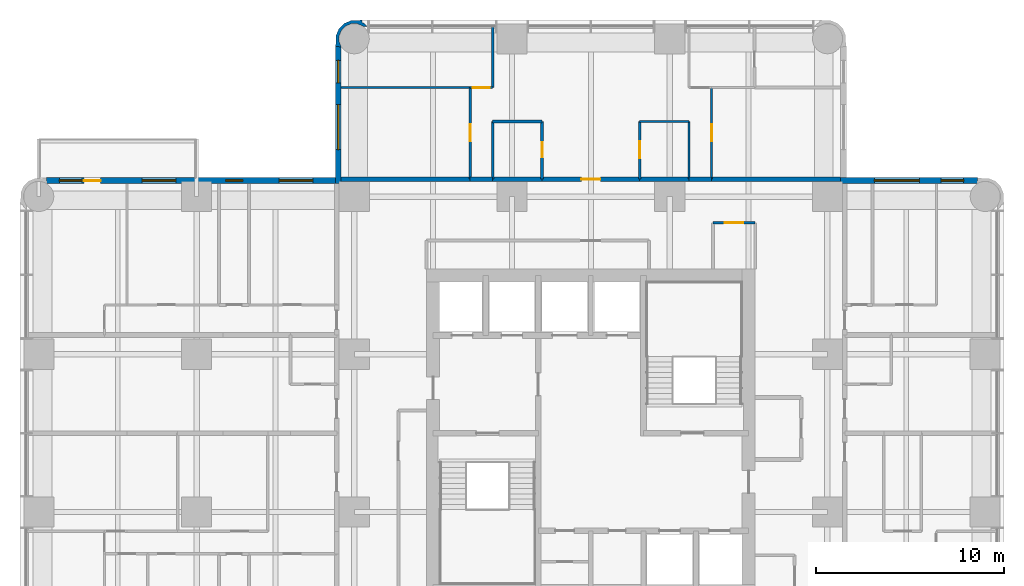
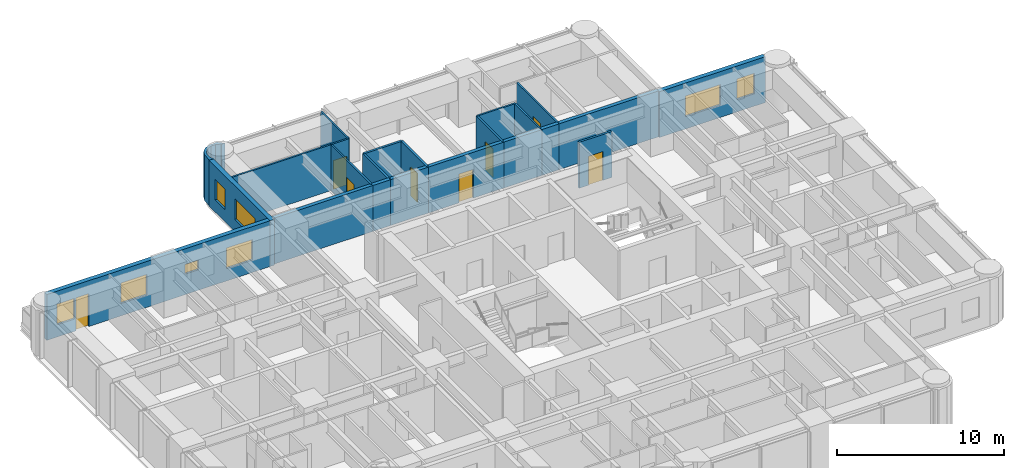
# One storey, part 9 of 11: 23 walls, 8 doors, 8 windows, 16 openings.
"""IFC4 building model written with IfcOpenShell, lengths in metres."""

from ifc_helpers import new_model, si_unit, direction, frame, frame_2d, origin, place, context, subcontext, project, spatial, polyline, rectangle, outline, extrude, material, layer, layer_set, type_object, element, fill, save


model = new_model("IFC4")

# Units and contexts
model_context = context("Model", 3, precision=1e-05, world=origin(), true_north=direction((0.0, 1.0)))
body_context = subcontext(model_context, "Body", "Model", "MODEL_VIEW")
ifc_project = project(units=[si_unit("LENGTHUNIT", "METRE"), si_unit("AREAUNIT", "SQUARE_METRE"), si_unit("VOLUMEUNIT", "CUBIC_METRE"), si_unit("PLANEANGLEUNIT", "RADIAN"), si_unit("MASSUNIT", "GRAM", prefix="KILO")], contexts=[model_context])

# Site, building, storey
site_placement = place(None, origin())
site = spatial("IfcSite", under=ifc_project, at=site_placement, CompositionType="ELEMENT")
building_placement = place(site_placement, origin())
building = spatial("IfcBuilding", under=site, at=building_placement, Name="Torre Alcanfor", CompositionType="ELEMENT")
storey_placement = place(building_placement, frame((0.0, 0.0, 244.5)))
storey = spatial("IfcBuildingStorey", under=building, at=storey_placement, Name="L64", CompositionType="ELEMENT", Elevation=244.5)

# Wall, opening, door
ifc_material_1 = material(Name="Concrete block masonry, hollow blocks NMX-C-404 9 MPa", Category="masonry")
ifc_layer_1 = layer(ifc_material_1, 0.25)
ifc_layer_set_1 = layer_set([ifc_layer_1], Name="Apartment entrance wall 250 EI 60")
wall_type_1 = type_object("IfcWallType", Name="Apartment entrance wall 250 EI 60", PredefinedType="PARTITIONING", material=ifc_layer_set_1)
wall_1_placement = place(storey_placement, frame((26.800048828125, 42.925048828125, 0.0), z_axis=(0.0, 0.0, 1.0), x_axis=(1.0, 0.0, 0.0)))
wall_1 = element("IfcWall", 1, at=wall_1_placement, inside=storey, type_object=wall_type_1, Name="Partition L64-CORR / L64-NX-ZAG", PredefinedType="PARTITIONING", context=body_context, shape_type="SweptSolid", body=[
    extrude(rectangle(XDim=5.199951171875, YDim=0.25, at=frame_2d((2.60009765625, 0.0))), origin(), (0.0, 0.0, 1.0), 3.35009765625),
])
opening_1_placement = place(wall_1_placement, frame((2.10009765625, 0.0, 0.0)))
opening_1 = element("IfcOpeningElement", 2, at=opening_1_placement, cuts=wall_1, Name="Opening D-A1", PredefinedType="OPENING", context=body_context, shape_type="SweptSolid", body=[
    extrude(rectangle(XDim=1.0, YDim=2.10009765625, at=frame_2d((0.5, 1.050048828125))), frame((0.0, 0.135009765625, 0.0), z_axis=(0.0, -1.0, 0.0), x_axis=(1.0, 0.0, 0.0)), (0.0, 0.0, 1.0), 0.27001953125),
])
ifc_material_2 = material(Name="Galvanised steel sheet ASTM A653", Category="steel")
door_type_1 = type_object("IfcDoorType", Name="Apartment entrance door FD60 1000x2100", OperationType="SINGLE_SWING_LEFT", PredefinedType="DOOR", material=ifc_material_2)
door_1_placement = place(opening_1_placement, origin())
door_1 = element("IfcDoor", 3, at=door_1_placement, inside=storey, type_object=door_type_1, Name="Apartment entrance L64-NX", OperationType="SINGLE_SWING_LEFT", OverallHeight=2.10009765625, OverallWidth=1.0, PredefinedType="DOOR", context=body_context, shape_type="SweptSolid", body=[
    extrude(rectangle(XDim=1.0, YDim=2.10009765625, at=frame_2d((0.5, 1.050048828125))), frame((0.0, 0.02490234375, 0.0), z_axis=(0.0, -1.0, 0.0), x_axis=(1.0, 0.0, 0.0)), (0.0, 0.0, 1.0), 0.050048828125),
])
fill(opening_1, door_1)

# Walls
wall_2_placement = place(storey_placement, frame((24.1708984375, 42.925048828125, 0.0), z_axis=(0.0, 0.0, 1.0), x_axis=(1.0, 0.0, 0.0)))
element("IfcWall", 4, at=wall_2_placement, inside=storey, type_object=wall_type_1, Name="Partition L64-CORR / L64-NX-BATH2", PredefinedType="PARTITIONING", context=body_context, shape_type="SweptSolid", body=[
    extrude(rectangle(XDim=2.629150390625, YDim=0.25, at=frame_2d((1.314453125, 0.0))), origin(), (0.0, 0.0, 1.0), 3.35009765625),
])
wall_3_placement = place(storey_placement, frame((32.0, 42.925048828125, 0.0), z_axis=(0.0, 0.0, 1.0), x_axis=(1.0, 0.0, 0.0)))
element("IfcWall", 5, at=wall_3_placement, inside=storey, type_object=wall_type_1, Name="Partition L64-CORR / L64-NX-KITCHEN", PredefinedType="PARTITIONING", context=body_context, shape_type="SweptSolid", body=[
    extrude(rectangle(XDim=2.62890625, YDim=0.25, at=frame_2d((1.314453125, 0.0))), origin(), (0.0, 0.0, 1.0), 3.35009765625),
])
wall_4_placement = place(storey_placement, frame((22.970947265625, 42.925048828125, 0.0), z_axis=(0.0, 0.0, 1.0), x_axis=(1.0, 0.0, 0.0)))
element("IfcWall", 6, at=wall_4_placement, inside=storey, type_object=wall_type_1, Name="Partition L64-CORR / L64-NX-LIVING", PredefinedType="PARTITIONING", context=body_context, shape_type="SweptSolid", body=[
    extrude(rectangle(XDim=1.199951171875, YDim=0.25, at=frame_2d((0.60009765625, 0.0))), origin(), (0.0, 0.0, 1.0), 3.35009765625),
])
wall_5_placement = place(storey_placement, frame((34.62890625, 42.925048828125, 0.0), z_axis=(0.0, 0.0, 1.0), x_axis=(1.0, 0.0, 0.0)))
element("IfcWall", 7, at=wall_5_placement, inside=storey, type_object=wall_type_1, Name="Partition L64-CORR / L64-NX-LIVING", PredefinedType="PARTITIONING", context=body_context, shape_type="SweptSolid", body=[
    extrude(rectangle(XDim=1.2001953125, YDim=0.25, at=frame_2d((0.60009765625, 0.0))), origin(), (0.0, 0.0, 1.0), 3.35009765625),
])
for number, where, z_axis, x_axis, name in (
    (8, (16.10009765625, 42.925048828125, 0.0), (0.0, 0.0, 1.0), (1.0, 0.0, 0.0), "Partition L64-CORR / L64-NX-BED2"),
    (9, (35.8291015625, 42.925048828125, 0.0), (0.0, 0.0, 1.0), (1.0, 0.0, 0.0), "Partition L64-CORR / L64-NX-BED3"),
):
    element("IfcWall", number, at=place(storey_placement, frame(where, z_axis=z_axis, x_axis=x_axis)), inside=storey, type_object=wall_type_1, Name=name, PredefinedType="PARTITIONING", context=body_context, shape_type="SweptSolid", body=[
        extrude(rectangle(XDim=6.870849609375, YDim=0.25, at=frame_2d((3.435546875, 0.0))), origin(), (0.0, 0.0, 1.0), 3.35009765625),
    ])

# Wall, opening, door
ifc_material_3 = material(Name="Gypsum board on steel studs", Category="steel")
ifc_layer_2 = layer(ifc_material_3, 0.1201171875)
ifc_layer_set_2 = layer_set([ifc_layer_2], Name="Apartment partition 120")
wall_type_2 = type_object("IfcWallType", Name="Apartment partition 120", PredefinedType="PARTITIONING", material=ifc_layer_set_2)
wall_6_placement = place(storey_placement, frame((32.0, 42.925048828125, 0.0), z_axis=(0.0, 0.0, 1.0), x_axis=(0.0, 1.0, 0.0)))
wall_6 = element("IfcWall", 10, at=wall_6_placement, inside=storey, type_object=wall_type_2, Name="Partition L64-NX-ZAG / L64-NX-KITCHEN", PredefinedType="PARTITIONING", context=body_context, shape_type="SweptSolid", body=[
    extrude(rectangle(XDim=3.074951171875, YDim=0.1201171875, at=frame_2d((1.53759765625, 0.0))), origin(), (0.0, 0.0, 1.0), 3.35009765625),
])
opening_2_placement = place(wall_6_placement, frame((1.125, 0.0, 0.0)))
opening_2 = element("IfcOpeningElement", 11, at=opening_2_placement, cuts=wall_6, Name="Opening D-R1", PredefinedType="OPENING", context=body_context, shape_type="SweptSolid", body=[
    extrude(rectangle(XDim=0.89990234375, YDim=2.10009765625, at=frame_2d((0.449951171875, 1.050048828125))), frame((0.0, 0.070068359375, 0.0), z_axis=(0.0, -1.0, 0.0), x_axis=(1.0, 0.0, 0.0)), (0.0, 0.0, 1.0), 0.14013671875),
])
ifc_material_4 = material(Name="Timber", Category="wood")
door_type_2 = type_object("IfcDoorType", Name="Internal door 900x2100", OperationType="SINGLE_SWING_LEFT", PredefinedType="DOOR", material=ifc_material_4)
door_2_placement = place(opening_2_placement, frame((0.89990234375, 0.0, 0.0), z_axis=(0.0, 0.0, 1.0), x_axis=(-1.0, 0.0, 0.0)))
door_2 = element("IfcDoor", 12, at=door_2_placement, inside=storey, type_object=door_type_2, Name="Door L64-NX kitchen", OperationType="SINGLE_SWING_LEFT", OverallHeight=2.10009765625, OverallWidth=0.89990234375, PredefinedType="DOOR", context=body_context, shape_type="SweptSolid", body=[
    extrude(rectangle(XDim=0.89990234375, YDim=2.10009765625, at=frame_2d((0.449951171875, 1.050048828125))), frame((0.0, 0.025146484375, 0.0), z_axis=(0.0, -1.0, 0.0), x_axis=(1.0, 0.0, 0.0)), (0.0, 0.0, 1.0), 0.050048828125),
])
fill(opening_2, door_2)

# Walls
wall_7_placement = place(storey_placement, frame((34.62890625, 42.925048828125, 0.0), z_axis=(0.0, 0.0, 1.0), x_axis=(0.0, 1.0, 0.0)))
element("IfcWall", 13, at=wall_7_placement, inside=storey, type_object=wall_type_2, Name="Partition L64-NX-KITCHEN / L64-NX-LIVING", PredefinedType="PARTITIONING", context=body_context, shape_type="SweptSolid", body=[
    extrude(rectangle(XDim=3.074951171875, YDim=0.1201171875, at=frame_2d((1.53759765625, 0.0))), origin(), (0.0, 0.0, 1.0), 3.35009765625),
])
wall_8_placement = place(storey_placement, frame((34.62890625, 46.0, 0.0), z_axis=(0.0, 0.0, 1.0), x_axis=(-1.0, 0.0, 0.0)))
element("IfcWall", 14, at=wall_8_placement, inside=storey, type_object=wall_type_2, Name="Partition L64-NX-KITCHEN / L64-NX-LIVING", PredefinedType="PARTITIONING", context=body_context, shape_type="SweptSolid", body=[
    extrude(rectangle(XDim=2.62890625, YDim=0.1201171875, at=frame_2d((1.314453125, 0.0))), origin(), (0.0, 0.0, 1.0), 3.35009765625),
])

# Wall, opening, door
wall_9_placement = place(storey_placement, frame((22.970947265625, 42.925048828125, 0.0), z_axis=(0.0, 0.0, 1.0), x_axis=(0.0, 1.0, 0.0)))
wall_9 = element("IfcWall", 15, at=wall_9_placement, inside=storey, type_object=wall_type_2, Name="Partition L64-NX-LIVING / L64-NX-BED2", PredefinedType="PARTITIONING", context=body_context, shape_type="SweptSolid", body=[
    extrude(rectangle(XDim=4.875, YDim=0.1201171875, at=frame_2d((2.4375, 0.0))), origin(), (0.0, 0.0, 1.0), 3.35009765625),
])
opening_3_placement = place(wall_9_placement, frame((2.02490234375, 0.0, 0.0)))
opening_3 = element("IfcOpeningElement", 16, at=opening_3_placement, cuts=wall_9, Name="Opening D-R1", PredefinedType="OPENING", context=body_context, shape_type="SweptSolid", body=[
    extrude(rectangle(XDim=0.89990234375, YDim=2.10009765625, at=frame_2d((0.449951171875, 1.050048828125))), frame((0.0, 0.070068359375, 0.0), z_axis=(0.0, -1.0, 0.0), x_axis=(1.0, 0.0, 0.0)), (0.0, 0.0, 1.0), 0.14013671875),
])
door_3_placement = place(opening_3_placement, origin())
door_3 = element("IfcDoor", 17, at=door_3_placement, inside=storey, type_object=door_type_2, Name="Door L64-NX bed2", OperationType="SINGLE_SWING_RIGHT", OverallHeight=2.10009765625, OverallWidth=0.89990234375, PredefinedType="DOOR", context=body_context, shape_type="SweptSolid", body=[
    extrude(rectangle(XDim=0.89990234375, YDim=2.10009765625, at=frame_2d((0.449951171875, 1.050048828125))), frame((0.0, 0.02490234375, 0.0), z_axis=(0.0, -1.0, 0.0), x_axis=(1.0, 0.0, 0.0)), (0.0, 0.0, 1.0), 0.050048828125),
])
fill(opening_3, door_3)

wall_10_placement = place(storey_placement, frame((22.970947265625, 47.800048828125, 0.0), z_axis=(0.0, 0.0, 1.0), x_axis=(1.0, 0.0, 0.0)))
wall_10 = element("IfcWall", 18, at=wall_10_placement, inside=storey, type_object=wall_type_2, Name="Partition L64-NX-LIVING / L64-NX-MASTER", PredefinedType="PARTITIONING", context=body_context, shape_type="SweptSolid", body=[
    extrude(rectangle(XDim=1.199951171875, YDim=0.1201171875, at=frame_2d((0.60009765625, 0.0))), origin(), (0.0, 0.0, 1.0), 3.35009765625),
])
opening_4_placement = place(wall_10_placement, frame((0.14892578125, 0.0, 0.0)))
opening_4 = element("IfcOpeningElement", 19, at=opening_4_placement, cuts=wall_10, Name="Opening D-R1", PredefinedType="OPENING", context=body_context, shape_type="SweptSolid", body=[
    extrude(rectangle(XDim=0.89990234375, YDim=2.10009765625, at=frame_2d((0.449951171875, 1.050048828125))), frame((0.0, 0.070068359375, 0.0), z_axis=(0.0, -1.0, 0.0), x_axis=(1.0, 0.0, 0.0)), (0.0, 0.0, 1.0), 0.14013671875),
])
door_4_placement = place(opening_4_placement, origin())
door_4 = element("IfcDoor", 20, at=door_4_placement, inside=storey, type_object=door_type_2, Name="Door L64-NX master", OperationType="SINGLE_SWING_RIGHT", OverallHeight=2.10009765625, OverallWidth=0.89990234375, PredefinedType="DOOR", context=body_context, shape_type="SweptSolid", body=[
    extrude(rectangle(XDim=0.89990234375, YDim=2.10009765625, at=frame_2d((0.449951171875, 1.050048828125))), frame((0.0, 0.02490234375, 0.0), z_axis=(0.0, -1.0, 0.0), x_axis=(1.0, 0.0, 0.0)), (0.0, 0.0, 1.0), 0.050048828125),
])
fill(opening_4, door_4)

# Wall
wall_11_placement = place(storey_placement, frame((24.1708984375, 47.800048828125, 0.0), z_axis=(0.0, 0.0, 1.0), x_axis=(0.0, 1.0, 0.0)))
element("IfcWall", 21, at=wall_11_placement, inside=storey, type_object=wall_type_2, Name="Partition L64-NX-LIVING / L64-NX-MASTER", PredefinedType="PARTITIONING", context=body_context, shape_type="SweptSolid", body=[
    extrude(rectangle(XDim=3.25, YDim=0.1201171875, at=frame_2d((1.625, 0.0))), origin(), (0.0, 0.0, 1.0), 3.35009765625),
])

# Wall, opening, door
wall_12_placement = place(storey_placement, frame((35.8291015625, 47.800048828125, 0.0), z_axis=(0.0, 0.0, 1.0), x_axis=(0.0, -1.0, 0.0)))
wall_12 = element("IfcWall", 22, at=wall_12_placement, inside=storey, type_object=wall_type_2, Name="Partition L64-NX-LIVING / L64-NX-BED3", PredefinedType="PARTITIONING", context=body_context, shape_type="SweptSolid", body=[
    extrude(rectangle(XDim=4.875, YDim=0.1201171875, at=frame_2d((2.4375, 0.0))), origin(), (0.0, 0.0, 1.0), 3.35009765625),
])
opening_5_placement = place(wall_12_placement, frame((1.949951171875, 0.0, 0.0)))
opening_5 = element("IfcOpeningElement", 23, at=opening_5_placement, cuts=wall_12, Name="Opening D-R1", PredefinedType="OPENING", context=body_context, shape_type="SweptSolid", body=[
    extrude(rectangle(XDim=0.89990234375, YDim=2.10009765625, at=frame_2d((0.449951171875, 1.050048828125))), frame((0.0, 0.070068359375, 0.0), z_axis=(0.0, -1.0, 0.0), x_axis=(1.0, 0.0, 0.0)), (0.0, 0.0, 1.0), 0.14013671875),
])
door_5_placement = place(opening_5_placement, origin())
door_5 = element("IfcDoor", 24, at=door_5_placement, inside=storey, type_object=door_type_2, Name="Door L64-NX bed3", OperationType="SINGLE_SWING_LEFT", OverallHeight=2.10009765625, OverallWidth=0.89990234375, PredefinedType="DOOR", context=body_context, shape_type="SweptSolid", body=[
    extrude(rectangle(XDim=0.89990234375, YDim=2.10009765625, at=frame_2d((0.449951171875, 1.050048828125))), frame((0.0, 0.02490234375, 0.0), z_axis=(0.0, -1.0, 0.0), x_axis=(1.0, 0.0, 0.0)), (0.0, 0.0, 1.0), 0.050048828125),
])
fill(opening_5, door_5)

# Wall
wall_13_placement = place(storey_placement, frame((22.970947265625, 47.800048828125, 0.0), z_axis=(0.0, 0.0, 1.0), x_axis=(-1.0, 0.0, 0.0)))
element("IfcWall", 25, at=wall_13_placement, inside=storey, type_object=wall_type_2, Name="Partition L64-NX-BED2 / L64-NX-MASTER", PredefinedType="PARTITIONING", context=body_context, shape_type="SweptSolid", body=[
    extrude(rectangle(XDim=6.870849609375, YDim=0.1201171875, at=frame_2d((3.435546875, 0.0))), origin(), (0.0, 0.0, 1.0), 3.35009765625),
])

# Wall, openings, door, windows
ifc_material_5 = material(Name="Limestone cladding", Category="masonry")
ifc_layer_3 = layer(ifc_material_5, 0.0400390625, Name="Facing")
ifc_material_6 = material(Name="Ventilated air cavity")
ifc_layer_4 = layer(ifc_material_6, 0.02001953125, ventilated=True, Name="Ventilated joint")
ifc_material_7 = material(Name="Mineral wool insulation", Category="insulation")
ifc_layer_5 = layer(ifc_material_7, 0.10009765625, Name="Insulation")
ifc_material_8 = material(Name="Concrete f'c 35 MPa", Category="concrete")
ifc_layer_6 = layer(ifc_material_8, 0.139892578125, Name="Backing")
ifc_layer_set_3 = layer_set([ifc_layer_3, ifc_layer_4, ifc_layer_5, ifc_layer_6], Name="External wall stone-clad 300")
wall_type_3 = type_object("IfcWallType", Name="External wall stone-clad 300", PredefinedType="SOLIDWALL", material=ifc_layer_set_3)
wall_14_placement = place(storey_placement, frame((15.800048828125, 42.85009765625, 0.0), z_axis=(0.0, 0.0, 1.0), x_axis=(-1.0, 0.0, 0.0)))
wall_14 = element("IfcWall", 26, at=wall_14_placement, inside=storey, type_object=wall_type_3, Name="External wall L64 1", PredefinedType="SOLIDWALL", context=body_context, shape_type="SweptSolid", body=[
    extrude(rectangle(XDim=15.400146484375, YDim=0.300048828125, at=frame_2d((7.7001953125, 0.0))), origin(), (0.0, 0.0, 1.0), 3.35009765625),
])
opening_6_placement = place(wall_14_placement, frame((1.199951171875, 0.0, 0.89990234375)))
opening_6 = element("IfcOpeningElement", 27, at=opening_6_placement, cuts=wall_14, Name="Opening W2", PredefinedType="OPENING", context=body_context, shape_type="SweptSolid", body=[
    extrude(rectangle(XDim=1.800048828125, YDim=1.5, at=frame_2d((0.89990234375, 0.75))), frame((0.0, 0.159912109375, 0.0), z_axis=(0.0, -1.0, 0.0), x_axis=(1.0, 0.0, 0.0)), (0.0, 0.0, 1.0), 0.320068359375),
])
opening_7_placement = place(wall_14_placement, frame((4.949951171875, 0.0, 1.5)))
opening_7 = element("IfcOpeningElement", 28, at=opening_7_placement, cuts=wall_14, Name="Opening W3", PredefinedType="OPENING", context=body_context, shape_type="SweptSolid", body=[
    extrude(rectangle(XDim=0.89990234375, YDim=0.699951171875, at=frame_2d((0.449951171875, 0.35009765625))), frame((0.0, 0.159912109375, 0.0), z_axis=(0.0, -1.0, 0.0), x_axis=(1.0, 0.0, 0.0)), (0.0, 0.0, 1.0), 0.320068359375),
])
opening_8_placement = place(wall_14_placement, frame((8.5, 0.0, 0.89990234375)))
opening_8 = element("IfcOpeningElement", 29, at=opening_8_placement, cuts=wall_14, Name="Opening W2", PredefinedType="OPENING", context=body_context, shape_type="SweptSolid", body=[
    extrude(rectangle(XDim=1.800048828125, YDim=1.5, at=frame_2d((0.89990234375, 0.75))), frame((0.0, 0.159912109375, 0.0), z_axis=(0.0, -1.0, 0.0), x_axis=(1.0, 0.0, 0.0)), (0.0, 0.0, 1.0), 0.320068359375),
])
opening_9_placement = place(wall_14_placement, frame((12.5, 0.0, 0.0)))
opening_9 = element("IfcOpeningElement", 30, at=opening_9_placement, cuts=wall_14, Name="Opening D-B1", PredefinedType="OPENING", context=body_context, shape_type="SweptSolid", body=[
    extrude(rectangle(XDim=0.89990234375, YDim=2.39990234375, at=frame_2d((0.449951171875, 1.199951171875))), frame((0.0, 0.159912109375, 0.0), z_axis=(0.0, -1.0, 0.0), x_axis=(1.0, 0.0, 0.0)), (0.0, 0.0, 1.0), 0.320068359375),
])
opening_10_placement = place(wall_14_placement, frame((13.5, 0.0, 0.89990234375)))
opening_10 = element("IfcOpeningElement", 31, at=opening_10_placement, cuts=wall_14, Name="Opening W4", PredefinedType="OPENING", context=body_context, shape_type="SweptSolid", body=[
    extrude(rectangle(XDim=1.199951171875, YDim=1.5, at=frame_2d((0.60009765625, 0.75))), frame((0.0, 0.159912109375, 0.0), z_axis=(0.0, -1.0, 0.0), x_axis=(1.0, 0.0, 0.0)), (0.0, 0.0, 1.0), 0.320068359375),
])
ifc_material_9 = material(Name="Aluminium and glass", Category="aluminium")
door_type_3 = type_object("IfcDoorType", Name="Balcony door glazed 900x2400", OperationType="SINGLE_SWING_LEFT", PredefinedType="DOOR", material=ifc_material_9)
door_6_placement = place(opening_9_placement, origin())
door_6 = element("IfcDoor", 32, at=door_6_placement, inside=storey, type_object=door_type_3, Name="Balcony door L64-W2", OperationType="SINGLE_SWING_LEFT", OverallHeight=2.39990234375, OverallWidth=0.89990234375, PredefinedType="DOOR", context=body_context, shape_type="SweptSolid", body=[
    extrude(rectangle(XDim=0.89990234375, YDim=2.39990234375, at=frame_2d((0.449951171875, 1.199951171875))), frame((0.0, 0.02490234375, 0.0), z_axis=(0.0, -1.0, 0.0), x_axis=(1.0, 0.0, 0.0)), (0.0, 0.0, 1.0), 0.050048828125),
])
fill(opening_9, door_6)
ifc_material_10 = material(Name="Aluminium frame with clear double glazing", Category="aluminium")
window_type_1 = type_object("IfcWindowType", Name="Window bathroom 900x700", PartitioningType="SINGLE_PANEL", PredefinedType="WINDOW", material=ifc_material_10)
window_1_placement = place(opening_7_placement, origin())
window_1 = element("IfcWindow", 33, at=window_1_placement, inside=storey, type_object=window_type_1, Name="Window W3 L64-W2", OverallHeight=0.699951171875, OverallWidth=0.89990234375, PartitioningType="SINGLE_PANEL", PredefinedType="WINDOW", context=body_context, shape_type="SweptSolid", body=[
    extrude(rectangle(XDim=0.89990234375, YDim=0.699951171875, at=frame_2d((0.449951171875, 0.35009765625))), frame((0.0, 0.030029296875, 0.0), z_axis=(0.0, -1.0, 0.0), x_axis=(1.0, 0.0, 0.0)), (0.0, 0.0, 1.0), 0.06005859375),
])
fill(opening_7, window_1)
ifc_material_11 = material(Name="Aluminium frame with clear double glazing", Category="aluminium")
window_type_2 = type_object("IfcWindowType", Name="Window bedroom 1200x1500", PartitioningType="SINGLE_PANEL", PredefinedType="WINDOW", material=ifc_material_11)
window_2_placement = place(opening_10_placement, origin())
window_2 = element("IfcWindow", 34, at=window_2_placement, inside=storey, type_object=window_type_2, Name="Window W4 L64-W2", OverallHeight=1.5, OverallWidth=1.199951171875, PartitioningType="SINGLE_PANEL", PredefinedType="WINDOW", context=body_context, shape_type="SweptSolid", body=[
    extrude(rectangle(XDim=1.199951171875, YDim=1.5, at=frame_2d((0.60009765625, 0.75))), frame((0.0, 0.030029296875, 0.0), z_axis=(0.0, -1.0, 0.0), x_axis=(1.0, 0.0, 0.0)), (0.0, 0.0, 1.0), 0.06005859375),
])
fill(opening_10, window_2)
ifc_material_12 = material(Name="Aluminium frame with clear double glazing", Category="aluminium")
window_type_3 = type_object("IfcWindowType", Name="Window bedroom 1800x1500", PartitioningType="SINGLE_PANEL", PredefinedType="WINDOW", material=ifc_material_12)
window_3_placement = place(opening_6_placement, origin())
window_3 = element("IfcWindow", 35, at=window_3_placement, inside=storey, type_object=window_type_3, Name="Window W2 L64-W2", OverallHeight=1.5, OverallWidth=1.800048828125, PartitioningType="SINGLE_PANEL", PredefinedType="WINDOW", context=body_context, shape_type="SweptSolid", body=[
    extrude(rectangle(XDim=1.800048828125, YDim=1.5, at=frame_2d((0.89990234375, 0.75))), frame((0.0, 0.030029296875, 0.0), z_axis=(0.0, -1.0, 0.0), x_axis=(1.0, 0.0, 0.0)), (0.0, 0.0, 1.0), 0.06005859375),
])
fill(opening_6, window_3)
window_4_placement = place(opening_8_placement, origin())
window_4 = element("IfcWindow", 36, at=window_4_placement, inside=storey, type_object=window_type_3, Name="Window W2 L64-W2", OverallHeight=1.5, OverallWidth=1.800048828125, PartitioningType="SINGLE_PANEL", PredefinedType="WINDOW", context=body_context, shape_type="SweptSolid", body=[
    extrude(rectangle(XDim=1.800048828125, YDim=1.5, at=frame_2d((0.89990234375, 0.75))), frame((0.0, 0.030029296875, 0.0), z_axis=(0.0, -1.0, 0.0), x_axis=(1.0, 0.0, 0.0)), (0.0, 0.0, 1.0), 0.06005859375),
])
fill(opening_8, window_4)

# Wall, openings, windows
wall_15_placement = place(storey_placement, frame((50.0, 42.85009765625, 0.0), z_axis=(0.0, 0.0, 1.0), x_axis=(-1.0, 0.0, 0.0)))
wall_15 = element("IfcWall", 37, at=wall_15_placement, inside=storey, type_object=wall_type_3, Name="External wall L64 9", PredefinedType="SOLIDWALL", context=body_context, shape_type="SweptSolid", body=[
    extrude(rectangle(XDim=7.300048828125, YDim=0.300048828125, at=frame_2d((3.64990234375, 0.0))), origin(), (0.0, 0.0, 1.0), 3.35009765625),
])
opening_11_placement = place(wall_15_placement, frame((3.10009765625, 0.0, 0.89990234375)))
opening_11 = element("IfcOpeningElement", 38, at=opening_11_placement, cuts=wall_15, Name="Opening W1", PredefinedType="OPENING", context=body_context, shape_type="SweptSolid", body=[
    extrude(rectangle(XDim=2.39990234375, YDim=1.5, at=frame_2d((1.199951171875, 0.75))), frame((0.0, 0.159912109375, 0.0), z_axis=(0.0, -1.0, 0.0), x_axis=(1.0, 0.0, 0.0)), (0.0, 0.0, 1.0), 0.320068359375),
])
opening_12_placement = place(wall_15_placement, frame((0.75, 0.0, 0.89990234375)))
opening_12 = element("IfcOpeningElement", 39, at=opening_12_placement, cuts=wall_15, Name="Opening W4", PredefinedType="OPENING", context=body_context, shape_type="SweptSolid", body=[
    extrude(rectangle(XDim=1.199951171875, YDim=1.5, at=frame_2d((0.60009765625, 0.75))), frame((0.0, 0.159912109375, 0.0), z_axis=(0.0, -1.0, 0.0), x_axis=(1.0, 0.0, 0.0)), (0.0, 0.0, 1.0), 0.320068359375),
])
window_5_placement = place(opening_12_placement, origin())
window_5 = element("IfcWindow", 40, at=window_5_placement, inside=storey, type_object=window_type_2, Name="Window W4 L64-E1", OverallHeight=1.5, OverallWidth=1.199951171875, PartitioningType="SINGLE_PANEL", PredefinedType="WINDOW", context=body_context, shape_type="SweptSolid", body=[
    extrude(rectangle(XDim=1.199951171875, YDim=1.5, at=frame_2d((0.60009765625, 0.75))), frame((0.0, 0.030029296875, 0.0), z_axis=(0.0, -1.0, 0.0), x_axis=(1.0, 0.0, 0.0)), (0.0, 0.0, 1.0), 0.06005859375),
])
fill(opening_12, window_5)
ifc_material_13 = material(Name="Aluminium frame with clear double glazing", Category="aluminium")
window_type_4 = type_object("IfcWindowType", Name="Window bedroom 2400x1500", PartitioningType="SINGLE_PANEL", PredefinedType="WINDOW", material=ifc_material_13)
window_6_placement = place(opening_11_placement, origin())
window_6 = element("IfcWindow", 41, at=window_6_placement, inside=storey, type_object=window_type_4, Name="Window W1 L64-E1", OverallHeight=1.5, OverallWidth=2.39990234375, PartitioningType="SINGLE_PANEL", PredefinedType="WINDOW", context=body_context, shape_type="SweptSolid", body=[
    extrude(rectangle(XDim=2.39990234375, YDim=1.5, at=frame_2d((1.199951171875, 0.75))), frame((0.0, 0.030029296875, 0.0), z_axis=(0.0, -1.0, 0.0), x_axis=(1.0, 0.0, 0.0)), (0.0, 0.0, 1.0), 0.06005859375),
])
fill(opening_11, window_6)

wall_16_placement = place(storey_placement, frame((15.949951171875, 50.0, 0.0), z_axis=(0.0, 0.0, 1.0), x_axis=(0.0, -1.0, 0.0)))
wall_16 = element("IfcWall", 42, at=wall_16_placement, inside=storey, type_object=wall_type_3, Name="External wall L64 12", PredefinedType="SOLIDWALL", context=body_context, shape_type="SweptSolid", body=[
    extrude(rectangle(XDim=7.300048828125, YDim=0.300048828125, at=frame_2d((3.64990234375, 0.0))), origin(), (0.0, 0.0, 1.0), 3.35009765625),
])
opening_13_placement = place(wall_16_placement, frame((3.10009765625, 0.0, 0.89990234375)))
opening_13 = element("IfcOpeningElement", 43, at=opening_13_placement, cuts=wall_16, Name="Opening W1", PredefinedType="OPENING", context=body_context, shape_type="SweptSolid", body=[
    extrude(rectangle(XDim=2.39990234375, YDim=1.5, at=frame_2d((1.199951171875, 0.75))), frame((0.0, 0.159912109375, 0.0), z_axis=(0.0, -1.0, 0.0), x_axis=(1.0, 0.0, 0.0)), (0.0, 0.0, 1.0), 0.320068359375),
])
opening_14_placement = place(wall_16_placement, frame((0.75, 0.0, 0.89990234375)))
opening_14 = element("IfcOpeningElement", 44, at=opening_14_placement, cuts=wall_16, Name="Opening W4", PredefinedType="OPENING", context=body_context, shape_type="SweptSolid", body=[
    extrude(rectangle(XDim=1.199951171875, YDim=1.5, at=frame_2d((0.60009765625, 0.75))), frame((0.0, 0.159912109375, 0.0), z_axis=(0.0, -1.0, 0.0), x_axis=(1.0, 0.0, 0.0)), (0.0, 0.0, 1.0), 0.320068359375),
])
window_7_placement = place(opening_14_placement, origin())
window_7 = element("IfcWindow", 45, at=window_7_placement, inside=storey, type_object=window_type_2, Name="Window W4 L64-N1", OverallHeight=1.5, OverallWidth=1.199951171875, PartitioningType="SINGLE_PANEL", PredefinedType="WINDOW", context=body_context, shape_type="SweptSolid", body=[
    extrude(rectangle(XDim=1.199951171875, YDim=1.5, at=frame_2d((0.60009765625, 0.75))), frame((0.0, 0.030029296875, 0.0), z_axis=(0.0, -1.0, 0.0), x_axis=(1.0, 0.0, 0.0)), (0.0, 0.0, 1.0), 0.06005859375),
])
fill(opening_14, window_7)
window_8_placement = place(opening_13_placement, origin())
window_8 = element("IfcWindow", 46, at=window_8_placement, inside=storey, type_object=window_type_4, Name="Window W1 L64-N1", OverallHeight=1.5, OverallWidth=2.39990234375, PartitioningType="SINGLE_PANEL", PredefinedType="WINDOW", context=body_context, shape_type="SweptSolid", body=[
    extrude(rectangle(XDim=2.39990234375, YDim=1.5, at=frame_2d((1.199951171875, 0.75))), frame((0.0, 0.030029296875, 0.0), z_axis=(0.0, -1.0, 0.0), x_axis=(1.0, 0.0, 0.0)), (0.0, 0.0, 1.0), 0.06005859375),
])
fill(opening_13, window_8)

# Wall, opening, door
ifc_material_14 = material(Name="Concrete block masonry, hollow blocks NMX-C-404 9 MPa", Category="masonry")
ifc_layer_7 = layer(ifc_material_14, 0.14990234375)
ifc_layer_set_4 = layer_set([ifc_layer_7], Name="Residents' room partition 150")
wall_type_4 = type_object("IfcWallType", Name="Residents' room partition 150", PredefinedType="PARTITIONING", material=ifc_layer_set_4)
wall_17_placement = place(storey_placement, frame((38.14990234375, 40.60009765625, 0.0), z_axis=(0.0, 0.0, 1.0), x_axis=(-1.0, 0.0, 0.0)))
wall_17 = element("IfcWall", 47, at=wall_17_placement, inside=storey, type_object=wall_type_4, Name="Partition L64-CORR / L64-G02", PredefinedType="PARTITIONING", context=body_context, shape_type="SweptSolid", body=[
    extrude(rectangle(XDim=2.25, YDim=0.14990234375, at=frame_2d((1.125, 0.0))), origin(), (0.0, 0.0, 1.0), 3.35009765625),
])
opening_15_placement = place(wall_17_placement, frame((0.625, 0.0, 0.0)))
opening_15 = element("IfcOpeningElement", 48, at=opening_15_placement, cuts=wall_17, Name="Opening D-M1", PredefinedType="OPENING", context=body_context, shape_type="SweptSolid", body=[
    extrude(rectangle(XDim=1.0, YDim=2.10009765625, at=frame_2d((0.5, 1.050048828125))), frame((0.0, 0.0849609375, 0.0), z_axis=(0.0, -1.0, 0.0), x_axis=(1.0, 0.0, 0.0)), (0.0, 0.0, 1.0), 0.169921875),
])
ifc_material_15 = material(Name="Timber", Category="wood")
door_type_4 = type_object("IfcDoorType", Name="Residents' room door 1000x2100", OperationType="SINGLE_SWING_LEFT", PredefinedType="DOOR", material=ifc_material_15)
door_7_placement = place(opening_15_placement, origin())
door_7 = element("IfcDoor", 49, at=door_7_placement, inside=storey, type_object=door_type_4, Name="Door L64-G02 parcel room", OperationType="SINGLE_SWING_LEFT", OverallHeight=2.10009765625, OverallWidth=1.0, PredefinedType="DOOR", context=body_context, shape_type="SweptSolid", body=[
    extrude(rectangle(XDim=1.0, YDim=2.10009765625, at=frame_2d((0.5, 1.050048828125))), frame((0.0, 0.02490234375, 0.0), z_axis=(0.0, -1.0, 0.0), x_axis=(1.0, 0.0, 0.0)), (0.0, 0.0, 1.0), 0.050048828125),
])
fill(opening_15, door_7)

# Wall
ifc_layer_8 = layer(ifc_material_5, 0.0400390625, Name="Facing")
ifc_layer_9 = layer(ifc_material_6, 0.02001953125, ventilated=True, Name="Ventilated joint")
ifc_layer_10 = layer(ifc_material_7, 0.10009765625, Name="Insulation")
ifc_layer_11 = layer(ifc_material_8, 0.139892578125, Name="Backing")
ifc_layer_set_5 = layer_set([ifc_layer_8, ifc_layer_9, ifc_layer_10, ifc_layer_11], Name="Rounded corner pier stone-clad 300")
wall_type_5 = type_object("IfcWallType", Name="Rounded corner pier stone-clad 300", PredefinedType="SOLIDWALL", material=ifc_layer_set_5)
wall_18_placement = place(storey_placement, frame((17.448071802, 50.995317512, 0.0), z_axis=(0.0, 0.0, 1.0), x_axis=(-0.343276641956, 0.93923434088, 0.0)))
element("IfcWall", 50, at=wall_18_placement, inside=storey, type_object=wall_type_5, Name="Corner pier L64 20", PredefinedType="SOLIDWALL", context=body_context, shape_type="SweptSolid", body=[
    extrude(outline(polyline([(0.24108059829103723, 0.022959620234629247), (0.3334805428319213, 0.12357557552177408), (0.4651739844878831, 0.09415889406460926), (0.5320540980205655, 0.3930753034134802), (0.6306958479185591, 0.6629675932609465), (0.6144442310825087, 1.0445145490965344), (0.4535240125743382, 1.3908175635047577), (0.17229496211504458, 1.6490443416962495), (-0.0975973277324218, 1.7476860915942432), (-0.36910859501107685, 1.8895490248211664), (-0.5092558011112671, 1.6213097208797382), (-0.4906820751319597, 1.6145212911926206), (-0.47934485608116756, 1.6085581501360122), (-0.21131694537408713, 1.6200307736528514), (0.0879264176258649, 1.5106616286937335), (0.32264848080083985, 1.2951661291093102), (0.4569426595377669, 1.0061627997252323), (0.4702938084391308, 0.6878005781830546), (0.3609246634800129, 0.3885572151831026), (0.1454291638955897, 0.15383515200812764), (0.10816871297824923, 0.136520951282565), (0.030981753202503952, -0.0746691922599299), (0.24108059829103723, 0.022959620234629247)])), origin(), (0.0, 0.0, 1.0), 3.35009765625),
])

# Wall, opening, door
ifc_material_16 = material(Name="Cement board on steel studs", Category="steel")
ifc_layer_12 = layer(ifc_material_16, 0.14990234375)
ifc_layer_set_6 = layer_set([ifc_layer_12], Name="Wet area partition 150")
wall_type_6 = type_object("IfcWallType", Name="Wet area partition 150", PredefinedType="PARTITIONING", material=ifc_layer_set_6)
wall_19_placement = place(storey_placement, frame((26.800048828125, 46.0, 0.0), z_axis=(0.0, 0.0, 1.0), x_axis=(0.0, -1.0, 0.0)))
wall_19 = element("IfcWall", 51, at=wall_19_placement, inside=storey, type_object=wall_type_6, Name="Partition L64-NX-ZAG / L64-NX-BATH2", PredefinedType="PARTITIONING", context=body_context, shape_type="SweptSolid", body=[
    extrude(rectangle(XDim=3.074951171875, YDim=0.14990234375, at=frame_2d((1.53759765625, 0.0))), origin(), (0.0, 0.0, 1.0), 3.35009765625),
])
opening_16_placement = place(wall_19_placement, frame((1.10009765625, 0.0, 0.0)))
opening_16 = element("IfcOpeningElement", 52, at=opening_16_placement, cuts=wall_19, Name="Opening D-R2", PredefinedType="OPENING", context=body_context, shape_type="SweptSolid", body=[
    extrude(rectangle(XDim=0.800048828125, YDim=2.10009765625, at=frame_2d((0.39990234375, 1.050048828125))), frame((0.0, 0.0849609375, 0.0), z_axis=(0.0, -1.0, 0.0), x_axis=(1.0, 0.0, 0.0)), (0.0, 0.0, 1.0), 0.169921875),
])
ifc_material_17 = material(Name="Timber", Category="wood")
door_type_5 = type_object("IfcDoorType", Name="Bathroom door 800x2100", OperationType="SINGLE_SWING_LEFT", PredefinedType="DOOR", material=ifc_material_17)
door_8_placement = place(opening_16_placement, frame((0.800048828125, 0.0, 0.0), z_axis=(0.0, 0.0, 1.0), x_axis=(-1.0, 0.0, 0.0)))
door_8 = element("IfcDoor", 53, at=door_8_placement, inside=storey, type_object=door_type_5, Name="Door L64-NX bath2", OperationType="SINGLE_SWING_RIGHT", OverallHeight=2.10009765625, OverallWidth=0.800048828125, PredefinedType="DOOR", context=body_context, shape_type="SweptSolid", body=[
    extrude(rectangle(XDim=0.800048828125, YDim=2.10009765625, at=frame_2d((0.400146484375, 1.050048828125))), frame((0.0, 0.025146484375, 0.0), z_axis=(0.0, -1.0, 0.0), x_axis=(1.0, 0.0, 0.0)), (0.0, 0.0, 1.0), 0.050048828125),
])
fill(opening_16, door_8)

# Walls
wall_20_placement = place(storey_placement, frame((26.800048828125, 46.0, 0.0), z_axis=(0.0, 0.0, 1.0), x_axis=(-1.0, 0.0, 0.0)))
element("IfcWall", 54, at=wall_20_placement, inside=storey, type_object=wall_type_6, Name="Partition L64-NX-BATH2 / L64-NX-LIVING", PredefinedType="PARTITIONING", context=body_context, shape_type="SweptSolid", body=[
    extrude(rectangle(XDim=2.629150390625, YDim=0.14990234375, at=frame_2d((1.314453125, 0.0))), origin(), (0.0, 0.0, 1.0), 3.35009765625),
])
wall_21_placement = place(storey_placement, frame((24.1708984375, 46.0, 0.0), z_axis=(0.0, 0.0, 1.0), x_axis=(0.0, -1.0, 0.0)))
element("IfcWall", 55, at=wall_21_placement, inside=storey, type_object=wall_type_6, Name="Partition L64-NX-BATH2 / L64-NX-LIVING", PredefinedType="PARTITIONING", context=body_context, shape_type="SweptSolid", body=[
    extrude(rectangle(XDim=3.074951171875, YDim=0.14990234375, at=frame_2d((1.53759765625, 0.0))), origin(), (0.0, 0.0, 1.0), 3.35009765625),
])

save(model, "model.ifc")
